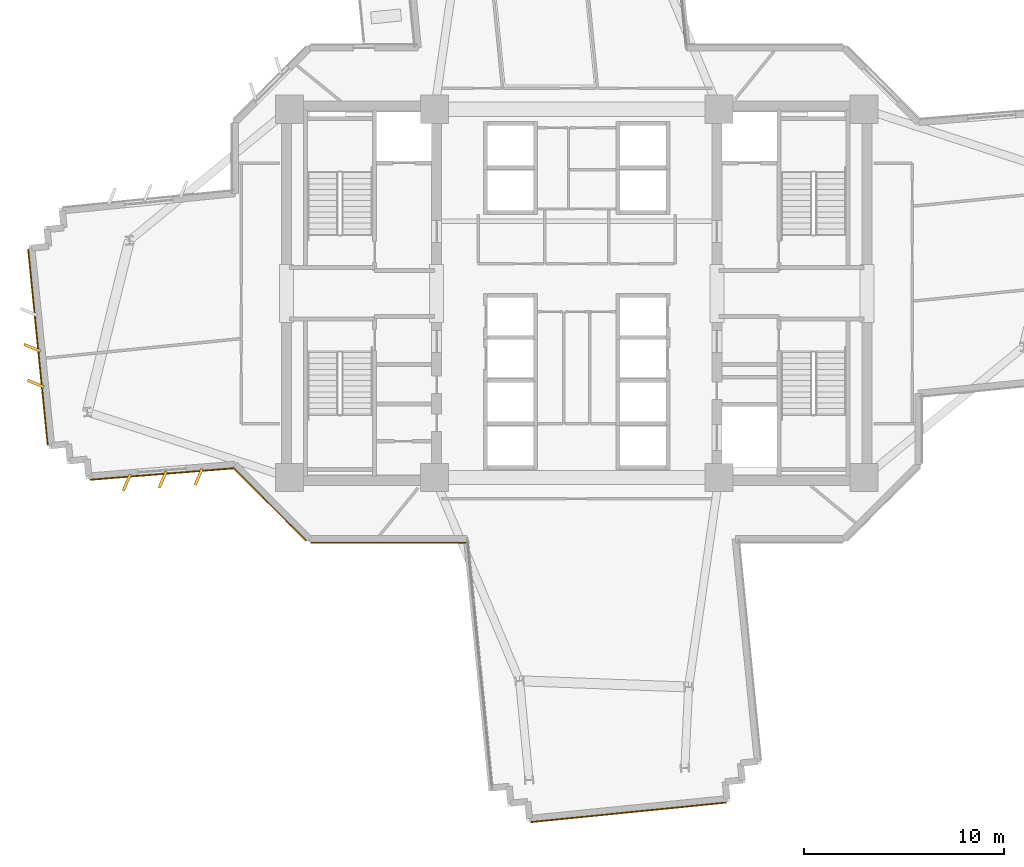
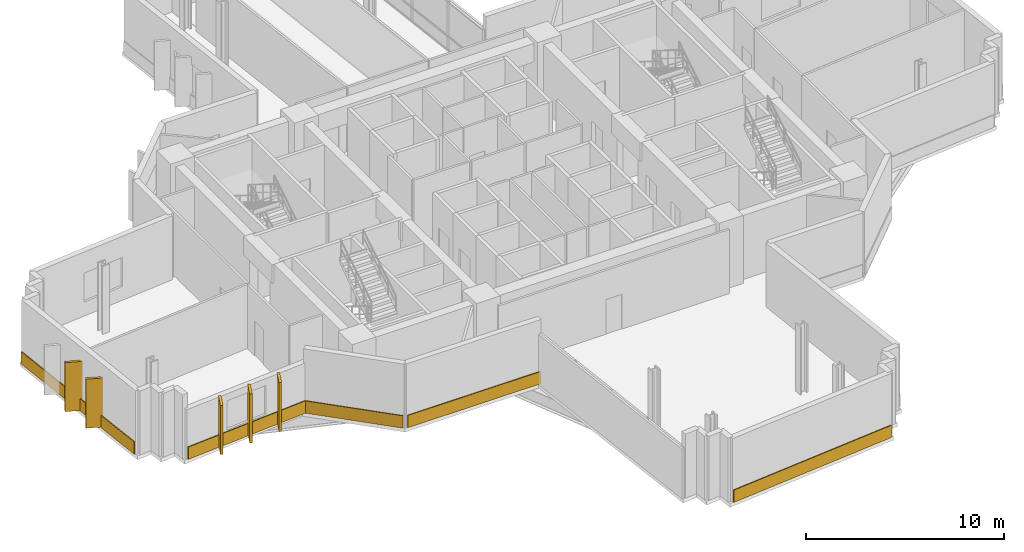
# One storey, part 11 of 14: 10 coverings.
"""IFC4 building model written with IfcOpenShell, lengths in metres."""

import ifcopenshell
import ifcopenshell.guid

model = None  # the IFC model being written
_history = None  # IfcOwnerHistory: only IFC2X3 demands one
_inside = {}  # id of a spatial element -> (the spatial element, [elements in it])
_under = {}  # id of a project, library or spatial element -> (it, [spatial elements below it])
_declared = {}  # id of a project -> (the project, [libraries it declares])
_typed = {}  # id of a type object -> (the type object, [elements of that type])
_made_of = {}  # id of a material, layer set ... -> (it, [elements and type objects made of it])


def new_model(schema):
    """Start an empty IFC model of exactly this schema.

    Asked for "IFC4X3", IfcOpenShell would pick the latest addendum, in which some entities
    have other attributes; the version numbers below select the first issue.
    IFC2X3 requires an IfcOwnerHistory on every rooted entity: one is made here for all.
    """
    global model, _history
    if schema == "IFC4X3":
        model = ifcopenshell.file(schema_version=(4, 3, 0, 0))
    else:
        model = ifcopenshell.file(schema=schema)
    _inside.clear()
    _under.clear()
    _declared.clear()
    _typed.clear()
    _made_of.clear()
    _history = None
    if model.schema == "IFC2X3":
        org = make("IfcOrganization", Name="unknown")
        user = make(
            "IfcPersonAndOrganization",
            ThePerson=make("IfcPerson", FamilyName="unknown"),
            TheOrganization=org,
        )
        app = make(
            "IfcApplication",
            ApplicationDeveloper=org,
            Version="unknown",
            ApplicationFullName="unknown",
            ApplicationIdentifier="unknown",
        )
        _history = make(
            "IfcOwnerHistory",
            OwningUser=user,
            OwningApplication=app,
            ChangeAction="ADDED",
            CreationDate=0,
        )
    return model


def make(cls, **values):
    """One entity of the class cls with the attributes given. An attribute that is None is left unset."""
    return model.create_entity(
        cls, **{name: value for name, value in values.items() if value is not None}
    )


def rooted(cls, **values):
    """An entity with a GlobalId (a new one), such as an element, a storey or a relation."""
    return make(cls, GlobalId=ifcopenshell.guid.new(), OwnerHistory=_history, **values)


def si_unit(unit_type, name, prefix=None):
    """IfcSIUnit, for example si_unit("LENGTHUNIT", "METRE", prefix="MILLI")."""
    return make("IfcSIUnit", UnitType=unit_type, Prefix=prefix, Name=name)


def assignment(units):
    """IfcUnitAssignment: the units of a project."""
    return None if units is None else make("IfcUnitAssignment", Units=units)


def point(xyz):
    """IfcCartesianPoint."""
    return None if xyz is None else make("IfcCartesianPoint", Coordinates=xyz)


def direction(xyz):
    """IfcDirection."""
    return None if xyz is None else make("IfcDirection", DirectionRatios=xyz)


def frame(location, z_axis=None, x_axis=None):
    """IfcAxis2Placement3D, a coordinate frame: its origin and axes. An axis left out is left unset."""
    return make(
        "IfcAxis2Placement3D",
        Location=point(location),
        Axis=direction(z_axis),
        RefDirection=direction(x_axis),
    )


def frame_2d(location, x_axis=None):
    """IfcAxis2Placement2D, a coordinate frame in the plane: its origin and x axis."""
    return make(
        "IfcAxis2Placement2D", Location=point(location), RefDirection=direction(x_axis)
    )


def origin():
    """The frame at (0, 0, 0) with its axes left unset."""
    return frame((0.0, 0.0, 0.0))


def origin_2d():
    """The frame at (0, 0) in the plane with its x axis left unset."""
    return frame_2d((0.0, 0.0))


def place(relative_to, where):
    """IfcLocalPlacement: puts the frame where relative to a parent placement (None: the world)."""
    return make(
        "IfcLocalPlacement", PlacementRelTo=relative_to, RelativePlacement=where
    )


def context(
    kind, dimensions, precision=None, world=None, true_north=None, identifier=None
):
    """IfcGeometricRepresentationContext, for example the 3D "Model" context."""
    return make(
        "IfcGeometricRepresentationContext",
        ContextIdentifier=identifier,
        ContextType=kind,
        CoordinateSpaceDimension=dimensions,
        Precision=precision,
        WorldCoordinateSystem=world,
        TrueNorth=true_north,
    )


def subcontext(parent, identifier, kind, view, scale=None):
    """IfcGeometricRepresentationSubContext, for example "Body" below "Model"."""
    return make(
        "IfcGeometricRepresentationSubContext",
        ContextIdentifier=identifier,
        ContextType=kind,
        ParentContext=parent,
        TargetScale=scale,
        TargetView=view,
    )


def project(units=None, contexts=None):
    """IfcProject with its units and contexts."""
    return rooted(
        "IfcProject",
        Name="project",
        RepresentationContexts=contexts,
        UnitsInContext=assignment(units),
    )


def spatial(cls, under=None, at=None, **own):
    """A site, building, storey or space (cls), placed at a placement, below another one or the project."""
    s = rooted(cls, ObjectPlacement=at, **own)
    if under is not None:
        _under.setdefault(under.id(), (under, []))[1].append(s)
    return s


def profile(cls, at=None, kind="AREA", **sizes):
    """A parametric profile (cls). Its sizes go by their IFC names, for example OverallWidth=200.0."""
    return make(cls, ProfileType=kind, Position=at, **sizes)


def rectangle(**sizes):
    """IfcRectangleProfileDef."""
    return profile("IfcRectangleProfileDef", **sizes)


def extrude(swept, where, along, depth):
    """IfcExtrudedAreaSolid: the profile swept, set in the frame where, extruded along a direction by depth."""
    return make(
        "IfcExtrudedAreaSolid",
        SweptArea=swept,
        Position=where,
        ExtrudedDirection=direction(along),
        Depth=depth,
    )


def shape(context_of_items, identifier, shape_type, items):
    """IfcShapeRepresentation: the items that make up one representation, for example the "Body"."""
    return make(
        "IfcShapeRepresentation",
        ContextOfItems=context_of_items,
        RepresentationIdentifier=identifier,
        RepresentationType=shape_type,
        Items=items,
    )


def source(mapping_origin, context_of_items, identifier, shape_type, items):
    """IfcRepresentationMap: a shape defined once, which mapped items show again and again."""
    return make(
        "IfcRepresentationMap",
        MappingOrigin=mapping_origin,
        MappedRepresentation=shape(context_of_items, identifier, shape_type, items),
    )


def transform(
    local_origin,
    x_axis=None,
    y_axis=None,
    z_axis=None,
    scale=None,
    scale2=None,
    scale3=None,
    uniform=True,
):
    """IfcCartesianTransformationOperator3D, or its non-uniform kind. x_axis, y_axis, z_axis: its Axis1, 2, 3."""
    if uniform:
        return make(
            "IfcCartesianTransformationOperator3D",
            Axis1=direction(x_axis),
            Axis2=direction(y_axis),
            LocalOrigin=point(local_origin),
            Scale=scale,
            Axis3=direction(z_axis),
        )
    return make(
        "IfcCartesianTransformationOperator3DnonUniform",
        Axis1=direction(x_axis),
        Axis2=direction(y_axis),
        LocalOrigin=point(local_origin),
        Scale=scale,
        Axis3=direction(z_axis),
        Scale2=scale2,
        Scale3=scale3,
    )


def mapped(mapping_source, mapping_target):
    """IfcMappedItem: shows the shape of a source again, moved by a transform."""
    return make(
        "IfcMappedItem", MappingSource=mapping_source, MappingTarget=mapping_target
    )


def material(Name=None, Category=None):
    """IfcMaterial."""
    return make("IfcMaterial", Name=Name, Category=Category)


def layer(
    of_material, thickness, ventilated=None, Name=None, Category=None, Priority=None
):
    """IfcMaterialLayer: one layer of a wall or slab, of a material (None: an air gap)."""
    return make(
        "IfcMaterialLayer",
        Material=of_material,
        LayerThickness=thickness,
        IsVentilated=ventilated,
        Name=Name,
        Category=Category,
        Priority=Priority,
    )


def layer_set(layers, Name=None):
    """IfcMaterialLayerSet."""
    return make("IfcMaterialLayerSet", MaterialLayers=layers, LayerSetName=Name)


def made_of(thing, what):
    """Note that an element or type object is made of a material, layer set ...; save() writes the relation."""
    if what is not None:
        _made_of.setdefault(what.id(), (what, []))[1].append(thing)
    return thing


def type_object(cls, material=None, **own):
    """A type object (cls), such as IfcWallType, which elements share."""
    return made_of(rooted(cls, **own), material)


def element(
    cls,
    number,
    at=None,
    inside=None,
    cuts=None,
    type_object=None,
    material=None,
    context=None,
    identifier="Body",
    shape_type=None,
    held_by="IfcProductDefinitionShape",
    body=None,
    shapes=None,
    **own,
):
    """One element of the class cls, such as IfcWall. Its Tag is "e" and its number.

    at: its placement. inside: the storey or other place that contains it. cuts: it is an
    opening in that element (IfcRelVoidsElement). A single representation is given by context,
    identifier, shape_type and body (its items); several are given by shapes. held_by: the class
    of the entity that holds the representations. save() writes the other relations.
    """
    e = rooted(cls, Tag="e%d" % number, ObjectPlacement=at, **own)
    if body is not None:
        shapes = [shape(context, identifier, shape_type, body)]
    if shapes is not None:
        e.Representation = make(held_by, Representations=shapes)
    if inside is not None:
        _inside.setdefault(inside.id(), (inside, []))[1].append(e)
    if cuts is not None:
        rooted(
            "IfcRelVoidsElement", RelatingBuildingElement=cuts, RelatedOpeningElement=e
        )
    if type_object is not None:
        _typed.setdefault(type_object.id(), (type_object, []))[1].append(e)
    return made_of(e, material)


def aggregate(whole, parts):
    """IfcRelAggregates: a whole, such as a stair, and the parts it consists of."""
    return rooted("IfcRelAggregates", RelatingObject=whole, RelatedObjects=parts)


def save(model, path):
    """Write the relations noted so far, then the file.

    IfcRelAggregates (storeys below a building ...), IfcRelContainedInSpatialStructure (elements
    in a storey), IfcRelDefinesByType, IfcRelAssociatesMaterial and IfcRelDeclares: one each for
    every whole, place, type object, material and project.
    """
    for whole, parts in _under.values():
        aggregate(whole, parts)
    for where, things in _inside.values():
        rooted(
            "IfcRelContainedInSpatialStructure",
            RelatedElements=things,
            RelatingStructure=where,
        )
    for kind, things in _typed.values():
        rooted("IfcRelDefinesByType", RelatedObjects=things, RelatingType=kind)
    for what, things in _made_of.values():
        rooted("IfcRelAssociatesMaterial", RelatedObjects=things, RelatingMaterial=what)
    for by, libraries in _declared.values():
        rooted("IfcRelDeclares", RelatingContext=by, RelatedDefinitions=libraries)
    model.write(path)


model = new_model("IFC4")

# Units and contexts
model_context = context("Model", 3, precision=1e-05, world=origin(), true_north=direction((0.0, 1.0)))
body_context = subcontext(model_context, "Body", "Model", "MODEL_VIEW")
ifc_project = project(units=[si_unit("LENGTHUNIT", "METRE"), si_unit("AREAUNIT", "SQUARE_METRE"), si_unit("VOLUMEUNIT", "CUBIC_METRE"), si_unit("PLANEANGLEUNIT", "RADIAN"), si_unit("MASSUNIT", "GRAM", prefix="KILO")], contexts=[model_context])

# Site, building, storey
site_placement = place(None, origin())
site = spatial("IfcSite", under=ifc_project, at=site_placement, CompositionType="ELEMENT")
building_placement = place(site_placement, origin())
building = spatial("IfcBuilding", under=site, at=building_placement, Name="Zahravan Cultural Tower", CompositionType="ELEMENT")
storey_placement = place(building_placement, frame((0.0, 0.0, 92.10009765625)))
storey = spatial("IfcBuildingStorey", under=building, at=storey_placement, Name="L20", CompositionType="ELEMENT", Elevation=92.10009765625)

# Coverings
ifc_material = material(Name="Terracotta ceramic cladding", Category="masonry")
ifc_layer = layer(ifc_material, 0.06005859375)
ifc_layer_set = layer_set([ifc_layer], Name="Terracotta ceramic cladding")
covering_type = type_object("IfcCoveringType", Name="COV-CLAD-TC60", PredefinedType="CLADDING", material=ifc_layer_set)
shared_shape_1 = source(origin(), body_context, "Body", "SweptSolid", [
    extrude(rectangle(XDim=9.820068359375, YDim=0.06005859375, at=origin_2d()), origin(), (0.0, 0.0, 1.0), 0.760009765625),
])
for number, where, z_axis, x_axis, name in (
    (1, (9.088623046875, 24.31396484375, 0.02001953125), (0.0, 0.0, 1.0), (-0.099319749744, 0.995055569961, 0.0), "L20 Terracotta Spandrel Cladding 06"),
    (2, (38.5869140625, 1.083740234375, 0.02001953125), (0.0, 0.0, 1.0), (-0.995055569961, -0.099319749744, 0.0), "L20 Terracotta Spandrel Cladding 46"),
):
    element("IfcCovering", number, at=place(storey_placement, frame(where, z_axis=z_axis, x_axis=x_axis)), inside=storey, type_object=covering_type, Name=name, PredefinedType="CLADDING", context=body_context, shape_type="MappedRepresentation", body=[
        mapped(shared_shape_1, transform((0.0, 0.0, 0.0), x_axis=(1.0, 0.0, 0.0), y_axis=(0.0, 1.0, 0.0), z_axis=(0.0, 0.0, 1.0), scale=1.0)),
    ])
shared_shape_2 = source(origin(), body_context, "Body", "SweptSolid", [
    extrude(rectangle(XDim=5.157958984375, YDim=0.06005859375, at=origin_2d()), origin(), (0.0, 0.0, 1.0), 0.760009765625),
])
covering_1_placement = place(storey_placement, frame((20.668212890625, 16.46826171875, 0.02001953125), z_axis=(0.0, 0.0, 1.0), x_axis=(-0.707106781187, 0.707106781187, 0.0)))
element("IfcCovering", 3, at=covering_1_placement, inside=storey, type_object=covering_type, Name="L20 Terracotta Spandrel Cladding 52", PredefinedType="CLADDING", context=body_context, shape_type="MappedRepresentation", body=[
    mapped(shared_shape_2, transform((0.0, 0.0, 0.0), x_axis=(1.0, 0.0, 0.0), y_axis=(0.0, 1.0, 0.0), z_axis=(0.0, 0.0, 1.0), scale=1.0)),
])
shared_shape_3 = source(origin(), body_context, "Body", "SweptSolid", [
    extrude(rectangle(XDim=0.8798828125, YDim=0.139892578125, at=origin_2d()), origin(), (0.0, 0.0, 1.0), 3.030029296875),
])
for number, where, z_axis, x_axis, name in (
    (4, (17.114501953125, 17.8408203125, 0.0498046875), (0.0, 0.0, 1.0), (-0.397708440899, -0.917511850625, 0.0), "L20 Herringbone Terracotta Fin 01"),
    (5, (15.3203125, 17.697509765625, 0.0498046875), (0.0, 0.0, 1.0), (-0.397708440899, -0.917511850625, 0.0), "L20 Herringbone Terracotta Fin 02"),
    (6, (13.526123046875, 17.55419921875, 0.0498046875), (0.0, 0.0, 1.0), (-0.397708440899, -0.917511850625, 0.0), "L20 Herringbone Terracotta Fin 03"),
    (7, (8.98388671875, 22.494384765625, 0.0498046875), (0.0, 0.0, 1.0), (-0.925209718386, 0.379456159529, 0.0), "L20 Herringbone Terracotta Fin 04"),
    (8, (8.80517578125, 24.28564453125, 0.0498046875), (0.0, 0.0, 1.0), (-0.925209718386, 0.379456159529, 0.0), "L20 Herringbone Terracotta Fin 05"),
):
    element("IfcCovering", number, at=place(storey_placement, frame(where, z_axis=z_axis, x_axis=x_axis)), inside=storey, type_object=covering_type, Name=name, PredefinedType="CLADDING", context=body_context, shape_type="MappedRepresentation", body=[
        mapped(shared_shape_3, transform((0.0, 0.0, 0.0), x_axis=(1.0, 0.0, 0.0), y_axis=(0.0, 1.0, 0.0), z_axis=(0.0, 0.0, 1.0), scale=1.0)),
    ])
shared_shape_4 = source(origin(), body_context, "Body", "SweptSolid", [
    extrude(rectangle(XDim=7.2373046875, YDim=0.06005859375, at=origin_2d()), origin(), (0.0, 0.0, 1.0), 0.760009765625),
])
covering_2_placement = place(storey_placement, frame((15.297607421875, 17.981689453125, 0.02001953125), z_axis=(0.0, 0.0, 1.0), x_axis=(-0.996827683211, -0.079590011836, 0.0)))
element("IfcCovering", 9, at=covering_2_placement, inside=storey, type_object=covering_type, Name="L20 Terracotta Spandrel Cladding 01", PredefinedType="CLADDING", context=body_context, shape_type="MappedRepresentation", body=[
    mapped(shared_shape_4, transform((0.0, 0.0, 0.0), x_axis=(1.0, 0.0, 0.0), y_axis=(0.0, 1.0, 0.0), z_axis=(0.0, 0.0, 1.0), scale=1.0)),
])
shared_shape_5 = source(origin(), body_context, "Body", "SweptSolid", [
    extrude(rectangle(XDim=7.772705078125, YDim=0.06005859375, at=origin_2d()), origin(), (0.0, 0.0, 1.0), 0.760009765625),
])
covering_3_placement = place(storey_placement, frame((26.59423828125, 14.554931640625, 0.02001953125), z_axis=(0.0, 0.0, 1.0), x_axis=(-1.0, 0.0, 0.0)))
element("IfcCovering", 10, at=covering_3_placement, inside=storey, type_object=covering_type, Name="L20 Terracotta Spandrel Cladding 51", PredefinedType="CLADDING", context=body_context, shape_type="MappedRepresentation", body=[
    mapped(shared_shape_5, transform((0.0, 0.0, 0.0), x_axis=(1.0, 0.0, 0.0), y_axis=(0.0, 1.0, 0.0), z_axis=(0.0, 0.0, 1.0), scale=1.0)),
])

save(model, "model.ifc")
